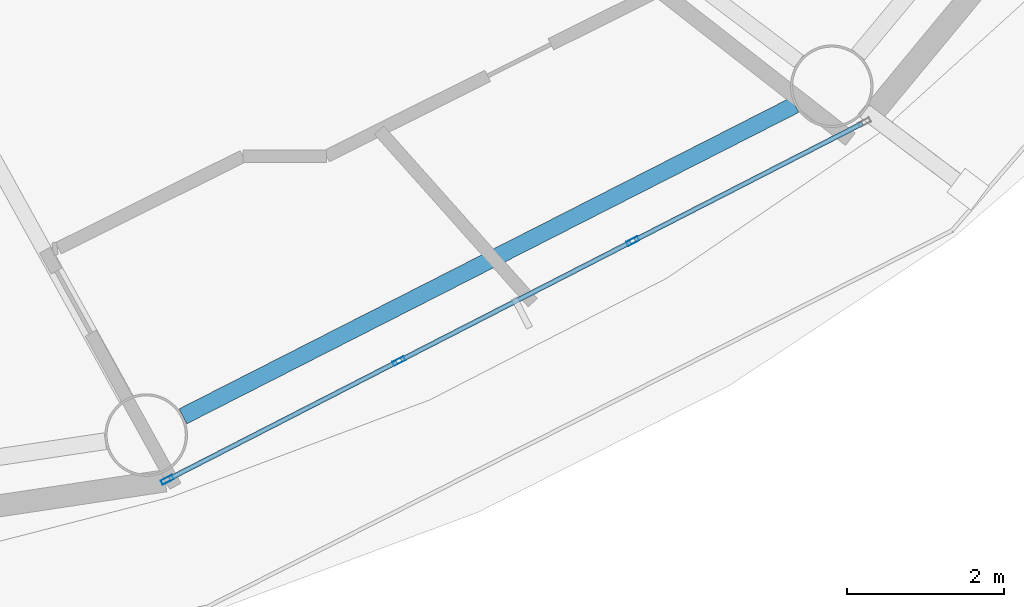
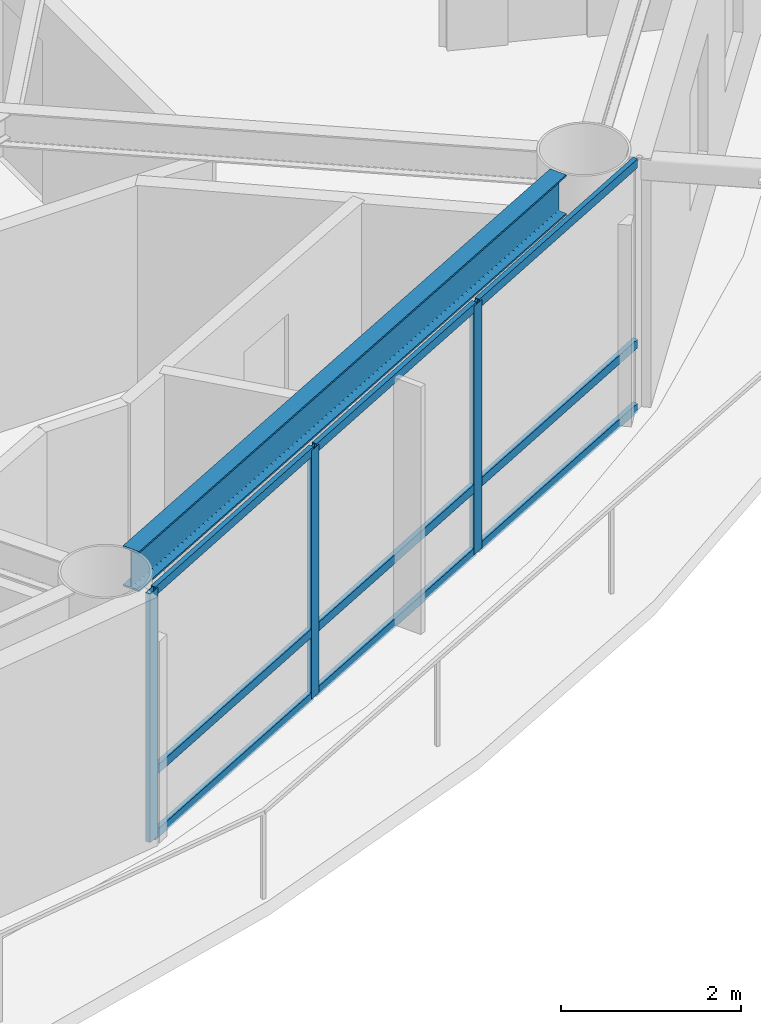
# One storey, part 5 of 30: 12 members, 1 beam, 1 element without a shape of its own.
"""IFC4 building model written with IfcOpenShell, lengths in metres."""

from ifc_helpers import new_model, si_unit, direction, frame, origin, origin_2d, place, context, subcontext, project, spatial, hollow_rectangle, i_section, extrude, material, layer, layer_set, material_profile, profile_set, type_object, element, aggregate, save


model = new_model("IFC4")

# Units and contexts
model_context = context("Model", 3, precision=1e-05, world=origin(), true_north=direction((0.0, 1.0)))
body_context = subcontext(model_context, "Body", "Model", "MODEL_VIEW")
ifc_project = project(units=[si_unit("LENGTHUNIT", "METRE"), si_unit("AREAUNIT", "SQUARE_METRE"), si_unit("VOLUMEUNIT", "CUBIC_METRE"), si_unit("PLANEANGLEUNIT", "RADIAN"), si_unit("MASSUNIT", "GRAM", prefix="KILO")], contexts=[model_context])

# Site, building, storey
site_placement = place(None, origin())
site = spatial("IfcSite", under=ifc_project, at=site_placement, CompositionType="ELEMENT")
building_placement = place(site_placement, origin())
building = spatial("IfcBuilding", under=site, at=building_placement, Name="Sarneth Arch Tower", CompositionType="ELEMENT")
storey_placement = place(building_placement, frame((0.0, 0.0, 161.39990234375)))
storey = spatial("IfcBuildingStorey", under=building, at=storey_placement, Name="L40", CompositionType="ELEMENT", Elevation=161.39990234375)

# Beam
ifc_material_1 = material(Name="Steel S355", Category="steel")
ifc_material_profile_1 = material_profile(ifc_material_1, i_section(OverallWidth=0.214111328125, OverallDepth=0.549072265625, WebThickness=0.0146484375, FlangeThickness=0.023681640625, FilletRadius=0.01806640625, at=origin_2d()), Name="W530x138")
ifc_profile_set_1 = profile_set([ifc_material_profile_1], Name="Steel S355")
beam_type = type_object("IfcBeamType", Name="BM-RAD-530A", PredefinedType="BEAM", material=ifc_profile_set_1)
beam_placement = place(storey_placement, frame((58.8896484375, 23.3447265625, 3.105712890625), z_axis=(0.891254220899, 0.453504039374, 0.0), x_axis=(-0.453504039374, 0.891254220899, 0.0)))
element("IfcBeam", 1, at=beam_placement, inside=storey, type_object=beam_type, Name="L40 Perimeter spandrel beam 14", PredefinedType="BEAM", context=body_context, shape_type="SweptSolid", body=[
    extrude(i_section(OverallWidth=0.214111328125, OverallDepth=0.549072265625, WebThickness=0.0146484375, FlangeThickness=0.023681640625, FilletRadius=0.01806640625, at=origin_2d()), origin(), (0.0, 0.0, 1.0), 8.724853515625),
])

# Curtain wall, members
ifc_material_2 = material(Name="Anodised aluminium Type AA25 and solar-control low-e laminated IGU", Category="aluminium")
ifc_layer = layer(ifc_material_2, 0.169921875)
ifc_layer_set = layer_set([ifc_layer], Name="Anodised aluminium Type AA25 and solar-control low-e laminated IGU")
curtain_wall_type = type_object("IfcCurtainWallType", Name="CW-RES-MID", PredefinedType="NOTDEFINED", material=ifc_layer_set)
curtain_wall_placement = place(storey_placement, origin())
curtain_wall = element("IfcCurtainWall", 2, at=curtain_wall_placement, inside=storey, type_object=curtain_wall_type, Name="L40 Unitised curtain wall facet 14", PredefinedType="NOTDEFINED")
ifc_material_3 = material(Name="Anodised Aluminium 6063-T6", Category="aluminium")
ifc_material_profile_2 = material_profile(ifc_material_3, hollow_rectangle(XDim=0.06005859375, YDim=0.159912109375, WallThickness=0.00390625, at=origin_2d()), Name="AL-MULL-160x60x4")
ifc_profile_set_2 = profile_set([ifc_material_profile_2], Name="Anodised Aluminium 6063-T6")
member_type_1 = type_object("IfcMemberType", Name="CW-MULLION", PredefinedType="MULLION", material=ifc_profile_set_2)
member_1_placement = place(storey_placement, frame((58.689453125, 22.538330078125, 0.0), z_axis=(0.0, 0.0, 1.0), x_axis=(-0.456208470329, 0.88987293003, 0.0)))
member_1 = element("IfcMember", 3, at=member_1_placement, type_object=member_type_1, Name="CW-SYS-5 mullion 1", PredefinedType="MULLION", context=body_context, shape_type="SweptSolid", body=[
    extrude(hollow_rectangle(XDim=0.06005859375, YDim=0.159912109375, WallThickness=0.00390625, at=origin_2d()), origin(), (0.0, 0.0, 1.0), 3.380126953125),
])
member_2_placement = place(storey_placement, frame((61.634033203125, 24.0478515625, 0.0), z_axis=(0.0, 0.0, 1.0), x_axis=(-0.456208470329, 0.88987293003, 0.0)))
member_2 = element("IfcMember", 4, at=member_2_placement, type_object=member_type_1, Name="CW-SYS-5 mullion 2", PredefinedType="MULLION", context=body_context, shape_type="SweptSolid", body=[
    extrude(hollow_rectangle(XDim=0.06005859375, YDim=0.159912109375, WallThickness=0.00390625, at=origin_2d()), origin(), (0.0, 0.0, 1.0), 3.380126953125),
])
member_3_placement = place(storey_placement, frame((64.60498046875, 25.571044921875, 0.0), z_axis=(0.0, 0.0, 1.0), x_axis=(-0.456208470329, 0.88987293003, 0.0)))
member_3 = element("IfcMember", 5, at=member_3_placement, type_object=member_type_1, Name="CW-SYS-5 mullion 3", PredefinedType="MULLION", context=body_context, shape_type="SweptSolid", body=[
    extrude(hollow_rectangle(XDim=0.06005859375, YDim=0.159912109375, WallThickness=0.00390625, at=origin_2d()), origin(), (0.0, 0.0, 1.0), 3.380126953125),
])
ifc_material_4 = material(Name="Anodised Aluminium 6063-T6", Category="aluminium")
ifc_material_profile_3 = material_profile(ifc_material_4, hollow_rectangle(XDim=0.06005859375, YDim=0.1201171875, WallThickness=0.00390625, at=origin_2d()), Name="AL-TRAN-120x60x4")
ifc_profile_set_3 = profile_set([ifc_material_profile_3], Name="Anodised Aluminium 6063-T6")
member_type_2 = type_object("IfcMemberType", Name="CW-TRANSOM", PredefinedType="USERDEFINED", material=ifc_profile_set_3)
member_4_placement = place(storey_placement, frame((58.71630859375, 22.552001953125, 0.030029296875), z_axis=(0.889857362344, 0.456238835131, 0.0), x_axis=(-0.456238835131, 0.889857362344, 0.0)))
member_4 = element("IfcMember", 6, at=member_4_placement, type_object=member_type_2, Name="CW-SYS-5 transom 1.1", ObjectType="TRANSOM", PredefinedType="USERDEFINED", context=body_context, shape_type="SweptSolid", body=[
    extrude(hollow_rectangle(XDim=0.06005859375, YDim=0.1201171875, WallThickness=0.00390625, at=origin_2d()), origin(), (0.0, 0.0, 1.0), 3.248779296875),
])
member_5_placement = place(storey_placement, frame((58.71630859375, 22.552001953125, 0.900146484375), z_axis=(0.889857362344, 0.456238835131, 0.0), x_axis=(-0.456238835131, 0.889857362344, 0.0)))
member_5 = element("IfcMember", 7, at=member_5_placement, type_object=member_type_2, Name="CW-SYS-5 transom 1.2", ObjectType="TRANSOM", PredefinedType="USERDEFINED", context=body_context, shape_type="SweptSolid", body=[
    extrude(hollow_rectangle(XDim=0.06005859375, YDim=0.1201171875, WallThickness=0.00390625, at=origin_2d()), origin(), (0.0, 0.0, 1.0), 3.248779296875),
])
member_6_placement = place(storey_placement, frame((58.71630859375, 22.552001953125, 3.35009765625), z_axis=(0.889857362344, 0.456238835131, 0.0), x_axis=(-0.456238835131, 0.889857362344, 0.0)))
member_6 = element("IfcMember", 8, at=member_6_placement, type_object=member_type_2, Name="CW-SYS-5 transom 1.3", ObjectType="TRANSOM", PredefinedType="USERDEFINED", context=body_context, shape_type="SweptSolid", body=[
    extrude(hollow_rectangle(XDim=0.06005859375, YDim=0.1201171875, WallThickness=0.00390625, at=origin_2d()), origin(), (0.0, 0.0, 1.0), 3.248779296875),
])
member_7_placement = place(storey_placement, frame((61.66064453125, 24.0615234375, 0.030029296875), z_axis=(0.889869396751, 0.45621536222, 0.0), x_axis=(-0.45621536222, 0.889869396751, 0.0)))
member_7 = element("IfcMember", 9, at=member_7_placement, type_object=member_type_2, Name="CW-SYS-5 transom 2.1", ObjectType="TRANSOM", PredefinedType="USERDEFINED", context=body_context, shape_type="SweptSolid", body=[
    extrude(hollow_rectangle(XDim=0.06005859375, YDim=0.1201171875, WallThickness=0.00390625, at=origin_2d()), origin(), (0.0, 0.0, 1.0), 3.27880859375),
])
member_8_placement = place(storey_placement, frame((61.66064453125, 24.0615234375, 0.900146484375), z_axis=(0.889869396751, 0.45621536222, 0.0), x_axis=(-0.45621536222, 0.889869396751, 0.0)))
member_8 = element("IfcMember", 10, at=member_8_placement, type_object=member_type_2, Name="CW-SYS-5 transom 2.2", ObjectType="TRANSOM", PredefinedType="USERDEFINED", context=body_context, shape_type="SweptSolid", body=[
    extrude(hollow_rectangle(XDim=0.06005859375, YDim=0.1201171875, WallThickness=0.00390625, at=origin_2d()), origin(), (0.0, 0.0, 1.0), 3.27880859375),
])
member_9_placement = place(storey_placement, frame((61.66064453125, 24.0615234375, 3.35009765625), z_axis=(0.889869396751, 0.45621536222, 0.0), x_axis=(-0.45621536222, 0.889869396751, 0.0)))
member_9 = element("IfcMember", 11, at=member_9_placement, type_object=member_type_2, Name="CW-SYS-5 transom 2.3", ObjectType="TRANSOM", PredefinedType="USERDEFINED", context=body_context, shape_type="SweptSolid", body=[
    extrude(hollow_rectangle(XDim=0.06005859375, YDim=0.1201171875, WallThickness=0.00390625, at=origin_2d()), origin(), (0.0, 0.0, 1.0), 3.27880859375),
])
member_10_placement = place(storey_placement, frame((64.6318359375, 25.584716796875, 0.030029296875), z_axis=(0.889857362344, 0.456238835131, 0.0), x_axis=(-0.456238835131, 0.889857362344, 0.0)))
member_10 = element("IfcMember", 12, at=member_10_placement, type_object=member_type_2, Name="CW-SYS-5 transom 3.1", ObjectType="TRANSOM", PredefinedType="USERDEFINED", context=body_context, shape_type="SweptSolid", body=[
    extrude(hollow_rectangle(XDim=0.06005859375, YDim=0.1201171875, WallThickness=0.00390625, at=origin_2d()), origin(), (0.0, 0.0, 1.0), 3.248779296875),
])
member_11_placement = place(storey_placement, frame((64.6318359375, 25.584716796875, 0.900146484375), z_axis=(0.889857362344, 0.456238835131, 0.0), x_axis=(-0.456238835131, 0.889857362344, 0.0)))
member_11 = element("IfcMember", 13, at=member_11_placement, type_object=member_type_2, Name="CW-SYS-5 transom 3.2", ObjectType="TRANSOM", PredefinedType="USERDEFINED", context=body_context, shape_type="SweptSolid", body=[
    extrude(hollow_rectangle(XDim=0.06005859375, YDim=0.1201171875, WallThickness=0.00390625, at=origin_2d()), origin(), (0.0, 0.0, 1.0), 3.248779296875),
])
member_12_placement = place(storey_placement, frame((64.6318359375, 25.584716796875, 3.35009765625), z_axis=(0.889857362344, 0.456238835131, 0.0), x_axis=(-0.456238835131, 0.889857362344, 0.0)))
member_12 = element("IfcMember", 14, at=member_12_placement, type_object=member_type_2, Name="CW-SYS-5 transom 3.3", ObjectType="TRANSOM", PredefinedType="USERDEFINED", context=body_context, shape_type="SweptSolid", body=[
    extrude(hollow_rectangle(XDim=0.06005859375, YDim=0.1201171875, WallThickness=0.00390625, at=origin_2d()), origin(), (0.0, 0.0, 1.0), 3.248779296875),
])
aggregate(curtain_wall, [member_1, member_2, member_3, member_4, member_5, member_6, member_7, member_8, member_9, member_10, member_11, member_12])

save(model, "model.ifc")
